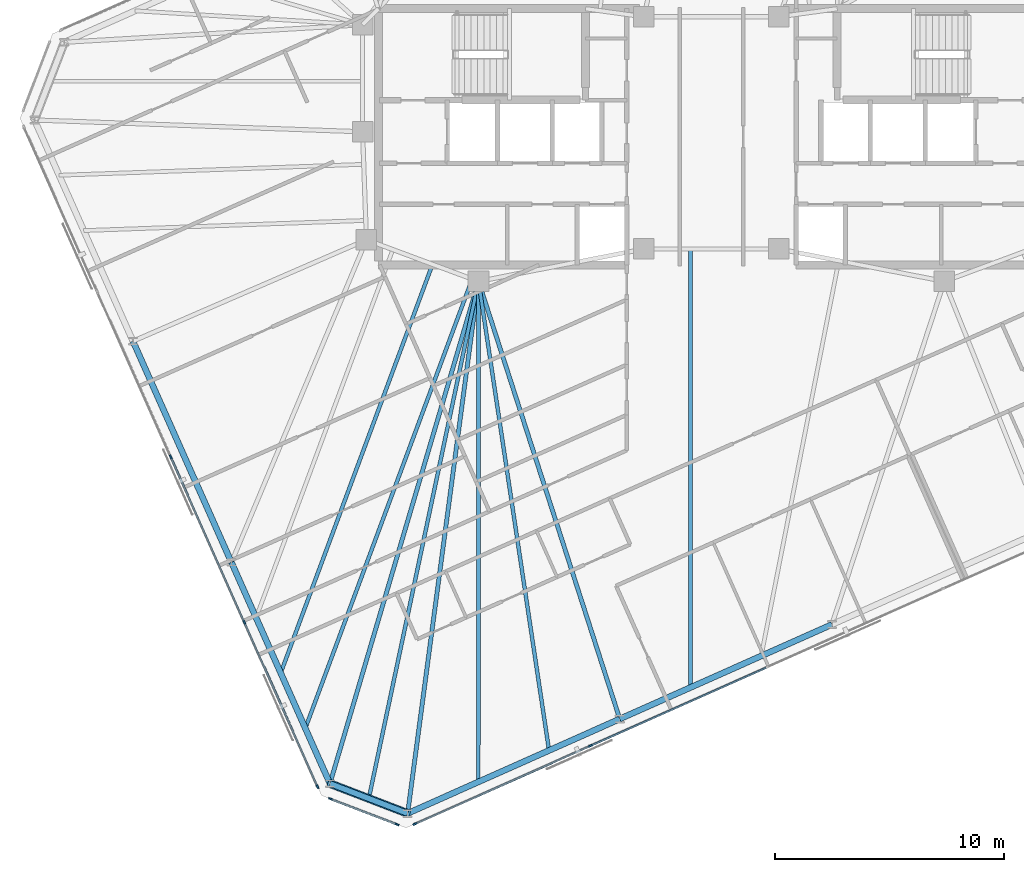
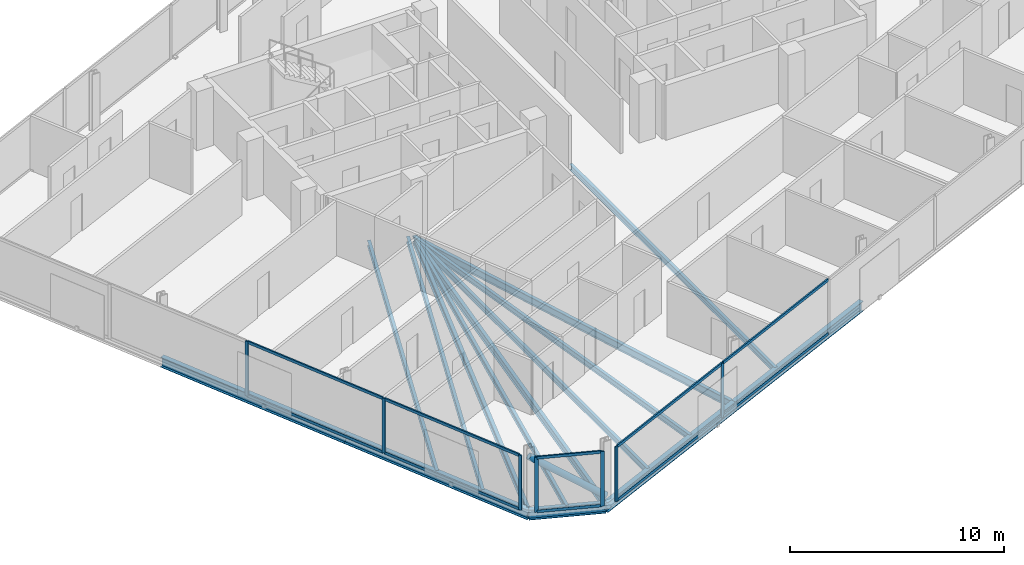
# One storey, part 5 of 19: 18 members, 14 beams, 3 elements without a shape of their own.
"""IFC4 building model written with IfcOpenShell, lengths in metres."""

from ifc_helpers import new_model, si_unit, direction, frame, origin, origin_2d, place, context, subcontext, project, spatial, rectangle, hollow_circle, i_section, extrude, material, material_profile, profile_set, type_object, element, aggregate, save


model = new_model("IFC4")

# Units and contexts
model_context = context("Model", 3, precision=1e-05, world=origin(), true_north=direction((0.0, 1.0)))
body_context = subcontext(model_context, "Body", "Model", "MODEL_VIEW")
ifc_project = project(units=[si_unit("LENGTHUNIT", "METRE"), si_unit("AREAUNIT", "SQUARE_METRE"), si_unit("VOLUMEUNIT", "CUBIC_METRE"), si_unit("PLANEANGLEUNIT", "RADIAN"), si_unit("MASSUNIT", "GRAM", prefix="KILO")], contexts=[model_context])

# Site, building, storey
site_placement = place(None, origin())
site = spatial("IfcSite", under=ifc_project, at=site_placement, CompositionType="ELEMENT")
building_placement = place(site_placement, origin())
building = spatial("IfcBuilding", under=site, at=building_placement, Name="Menara Jurai Vektor", CompositionType="ELEMENT")
storey_placement = place(building_placement, frame((0.0, 0.0, 281.89990234375)))
storey = spatial("IfcBuildingStorey", under=building, at=storey_placement, Name="L75", CompositionType="ELEMENT", Elevation=281.89990234375)

# Curtain wall, members
ifc_material_1 = material(Name="Anodised Pale Aluminium & Low-E Double Glazing", Category="aluminium")
curtain_wall_type = type_object("IfcCurtainWallType", Name="CW-BLK5", PredefinedType="NOTDEFINED", material=ifc_material_1)
curtain_wall_1_placement = place(storey_placement, origin())
curtain_wall_1 = element("IfcCurtainWall", 1, at=curtain_wall_1_placement, inside=storey, type_object=curtain_wall_type, Name="Unitised Curtain Wall L75 F01", PredefinedType="NOTDEFINED")
ifc_material_2 = material(Name="Anodised Pale Aluminium Mullion", Category="aluminium")
ifc_material_profile_1 = material_profile(ifc_material_2, rectangle(XDim=0.074951171875, YDim=0.175048828125, at=origin_2d()), Name="ALU MUL 75x175")
ifc_profile_set_1 = profile_set([ifc_material_profile_1], Name="Anodised Pale Aluminium Mullion")
member_type_1 = type_object("IfcMemberType", Name="CW-BLK5-MUL", PredefinedType="MULLION", material=ifc_profile_set_1)
member_1_placement = place(storey_placement, frame((-12.96875, -30.04052734375, 0.0), z_axis=(0.0, 0.0, 1.0), x_axis=(-0.406735498684, 0.913545967158, 0.0)))
member_1 = element("IfcMember", 2, at=member_1_placement, type_object=member_type_1, Name="CW-05 mullion 1", PredefinedType="MULLION", context=body_context, shape_type="SweptSolid", body=[
    extrude(rectangle(XDim=0.074951171875, YDim=0.175048828125, at=origin_2d()), origin(), (0.0, 0.0, 1.0), 3.125),
])
member_2_placement = place(storey_placement, frame((-5.292724609375, -26.623046875, 0.0), z_axis=(0.0, 0.0, 1.0), x_axis=(-0.406735498684, 0.913545967158, 0.0)))
member_2 = element("IfcMember", 3, at=member_2_placement, type_object=member_type_1, Name="CW-05 mullion 2", PredefinedType="MULLION", context=body_context, shape_type="SweptSolid", body=[
    extrude(rectangle(XDim=0.074951171875, YDim=0.175048828125, at=origin_2d()), origin(), (0.0, 0.0, 1.0), 3.125),
])

curtain_wall_2_placement = place(storey_placement, origin())
curtain_wall_2 = element("IfcCurtainWall", 4, at=curtain_wall_2_placement, inside=storey, type_object=curtain_wall_type, Name="Unitised Curtain Wall L75 F07", PredefinedType="NOTDEFINED")
member_3_placement = place(storey_placement, frame((-23.635986328125, -13.991943359375, 0.0), z_axis=(0.0, 0.0, 1.0), x_axis=(0.913546127706, 0.406735138086, 0.0)))
member_3 = element("IfcMember", 5, at=member_3_placement, type_object=member_type_1, Name="CW-05 mullion 3", PredefinedType="MULLION", context=body_context, shape_type="SweptSolid", body=[
    extrude(rectangle(XDim=0.074951171875, YDim=0.175048828125, at=origin_2d()), origin(), (0.0, 0.0, 1.0), 3.125),
])
member_4_placement = place(storey_placement, frame((-20.418701171875, -21.21826171875, 0.0), z_axis=(0.0, 0.0, 1.0), x_axis=(0.913546127706, 0.406735138086, 0.0)))
member_4 = element("IfcMember", 6, at=member_4_placement, type_object=member_type_1, Name="CW-05 mullion 4", PredefinedType="MULLION", context=body_context, shape_type="SweptSolid", body=[
    extrude(rectangle(XDim=0.074951171875, YDim=0.175048828125, at=origin_2d()), origin(), (0.0, 0.0, 1.0), 3.125),
])
member_5_placement = place(storey_placement, frame((-17.216796875, -28.41015625, 0.0), z_axis=(0.0, 0.0, 1.0), x_axis=(0.913546127706, 0.406735138086, 0.0)))
member_5 = element("IfcMember", 7, at=member_5_placement, type_object=member_type_1, Name="CW-05 mullion 5", PredefinedType="MULLION", context=body_context, shape_type="SweptSolid", body=[
    extrude(rectangle(XDim=0.074951171875, YDim=0.175048828125, at=origin_2d()), origin(), (0.0, 0.0, 1.0), 3.125),
])

curtain_wall_3_placement = place(storey_placement, origin())
curtain_wall_3 = element("IfcCurtainWall", 8, at=curtain_wall_3_placement, inside=storey, type_object=curtain_wall_type, Name="Unitised Curtain Wall L75 F08", PredefinedType="NOTDEFINED")
member_6_placement = place(storey_placement, frame((-16.656982421875, -28.94091796875, 0.0), z_axis=(0.0, 0.0, 1.0), x_axis=(0.358373766287, 0.933578193639, 0.0)))
member_6 = element("IfcMember", 9, at=member_6_placement, type_object=member_type_1, Name="CW-05 mullion 1", PredefinedType="MULLION", context=body_context, shape_type="SweptSolid", body=[
    extrude(rectangle(XDim=0.074951171875, YDim=0.175048828125, at=origin_2d()), origin(), (0.0, 0.0, 1.0), 3.125),
])
member_7_placement = place(storey_placement, frame((-13.739990234375, -30.060791015625, 0.0), z_axis=(0.0, 0.0, 1.0), x_axis=(0.358373766287, 0.933578193639, 0.0)))
member_7 = element("IfcMember", 10, at=member_7_placement, type_object=member_type_1, Name="CW-05 mullion 2", PredefinedType="MULLION", context=body_context, shape_type="SweptSolid", body=[
    extrude(rectangle(XDim=0.074951171875, YDim=0.175048828125, at=origin_2d()), origin(), (0.0, 0.0, 1.0), 3.125),
])

# Member
ifc_material_3 = material(Name="Anodised Pale Aluminium Transom", Category="aluminium")
ifc_material_profile_2 = material_profile(ifc_material_3, rectangle(XDim=0.074951171875, YDim=0.155029296875, at=origin_2d()), Name="ALU TRN 75x155")
ifc_profile_set_2 = profile_set([ifc_material_profile_2], Name="Anodised Pale Aluminium Transom")
member_type_2 = type_object("IfcMemberType", Name="CW-BLK5-TRN", PredefinedType="USERDEFINED", material=ifc_profile_set_2)
member_8_placement = place(storey_placement, frame((-12.9345703125, -30.025390625, 0.03759765625), z_axis=(0.913542963736, 0.406742244436, 0.0), x_axis=(-0.406742244436, 0.913542963736, 0.0)))
member_8 = element("IfcMember", 11, at=member_8_placement, type_object=member_type_2, Name="CW-05 transom 1.1", ObjectType="TRANSOM", PredefinedType="USERDEFINED", context=body_context, shape_type="SweptSolid", body=[
    extrude(rectangle(XDim=0.074951171875, YDim=0.155029296875, at=origin_2d()), origin(), (0.0, 0.0, 1.0), 8.32763671875),
])

member_9_placement = place(storey_placement, frame((-12.9345703125, -30.025390625, 3.087646484375), z_axis=(0.913542963736, 0.406742244436, 0.0), x_axis=(-0.406742244436, 0.913542963736, 0.0)))
member_9 = element("IfcMember", 12, at=member_9_placement, type_object=member_type_2, Name="CW-05 transom 1.2", ObjectType="TRANSOM", PredefinedType="USERDEFINED", context=body_context, shape_type="SweptSolid", body=[
    extrude(rectangle(XDim=0.074951171875, YDim=0.155029296875, at=origin_2d()), origin(), (0.0, 0.0, 1.0), 8.32763671875),
])

member_10_placement = place(storey_placement, frame((-5.25830078125, -26.60791015625, 0.03759765625), z_axis=(0.913541747007, 0.406744977198, 0.0), x_axis=(-0.406744977198, 0.913541747007, 0.0)))
member_10 = element("IfcMember", 13, at=member_10_placement, type_object=member_type_2, Name="CW-05 transom 2.1", ObjectType="TRANSOM", PredefinedType="USERDEFINED", context=body_context, shape_type="SweptSolid", body=[
    extrude(rectangle(XDim=0.074951171875, YDim=0.155029296875, at=origin_2d()), origin(), (0.0, 0.0, 1.0), 8.36474609375),
])

member_11_placement = place(storey_placement, frame((-5.25830078125, -26.60791015625, 3.087646484375), z_axis=(0.913541747007, 0.406744977198, 0.0), x_axis=(-0.406744977198, 0.913541747007, 0.0)))
member_11 = element("IfcMember", 14, at=member_11_placement, type_object=member_type_2, Name="CW-05 transom 2.2", ObjectType="TRANSOM", PredefinedType="USERDEFINED", context=body_context, shape_type="SweptSolid", body=[
    extrude(rectangle(XDim=0.074951171875, YDim=0.155029296875, at=origin_2d()), origin(), (0.0, 0.0, 1.0), 8.36474609375),
])

aggregate(curtain_wall_1, [member_1, member_2, member_8, member_9, member_10, member_11])

member_12_placement = place(storey_placement, frame((-23.620849609375, -14.0263671875, 0.03759765625), z_axis=(0.40674264085, -0.913542787238, 0.0), x_axis=(0.913542787238, 0.40674264085, 0.0)))
member_12 = element("IfcMember", 15, at=member_12_placement, type_object=member_type_2, Name="CW-05 transom 3.1", ObjectType="TRANSOM", PredefinedType="USERDEFINED", context=body_context, shape_type="SweptSolid", body=[
    extrude(rectangle(XDim=0.074951171875, YDim=0.155029296875, at=origin_2d()), origin(), (0.0, 0.0, 1.0), 7.8349609375),
])

member_13_placement = place(storey_placement, frame((-23.620849609375, -14.0263671875, 3.087646484375), z_axis=(0.40674264085, -0.913542787238, 0.0), x_axis=(0.913542787238, 0.40674264085, 0.0)))
member_13 = element("IfcMember", 16, at=member_13_placement, type_object=member_type_2, Name="CW-05 transom 3.2", ObjectType="TRANSOM", PredefinedType="USERDEFINED", context=body_context, shape_type="SweptSolid", body=[
    extrude(rectangle(XDim=0.074951171875, YDim=0.155029296875, at=origin_2d()), origin(), (0.0, 0.0, 1.0), 7.8349609375),
])

member_14_placement = place(storey_placement, frame((-20.403564453125, -21.25244140625, 0.03759765625), z_axis=(0.406751345283, -0.913538911656, 0.0), x_axis=(0.913538911656, 0.406751345283, 0.0)))
member_14 = element("IfcMember", 17, at=member_14_placement, type_object=member_type_2, Name="CW-05 transom 4.1", ObjectType="TRANSOM", PredefinedType="USERDEFINED", context=body_context, shape_type="SweptSolid", body=[
    extrude(rectangle(XDim=0.074951171875, YDim=0.155029296875, at=origin_2d()), origin(), (0.0, 0.0, 1.0), 7.79736328125),
])

member_15_placement = place(storey_placement, frame((-20.403564453125, -21.25244140625, 3.087646484375), z_axis=(0.406751345283, -0.913538911656, 0.0), x_axis=(0.913538911656, 0.406751345283, 0.0)))
member_15 = element("IfcMember", 18, at=member_15_placement, type_object=member_type_2, Name="CW-05 transom 4.2", ObjectType="TRANSOM", PredefinedType="USERDEFINED", context=body_context, shape_type="SweptSolid", body=[
    extrude(rectangle(XDim=0.074951171875, YDim=0.155029296875, at=origin_2d()), origin(), (0.0, 0.0, 1.0), 7.79736328125),
])

aggregate(curtain_wall_2, [member_3, member_4, member_5, member_12, member_13, member_14, member_15])

member_16_placement = place(storey_placement, frame((-16.6220703125, -28.95458984375, 0.03759765625), z_axis=(0.933597094911, -0.358324523823, 0.0), x_axis=(0.358324523823, 0.933597094911, 0.0)))
member_16 = element("IfcMember", 19, at=member_16_placement, type_object=member_type_2, Name="CW-05 transom 1.1", ObjectType="TRANSOM", PredefinedType="USERDEFINED", context=body_context, shape_type="SweptSolid", body=[
    extrude(rectangle(XDim=0.074951171875, YDim=0.155029296875, at=origin_2d()), origin(), (0.0, 0.0, 1.0), 3.049560546875),
])

member_17_placement = place(storey_placement, frame((-16.6220703125, -28.95458984375, 3.087646484375), z_axis=(0.933597094911, -0.358324523823, 0.0), x_axis=(0.358324523823, 0.933597094911, 0.0)))
member_17 = element("IfcMember", 20, at=member_17_placement, type_object=member_type_2, Name="CW-05 transom 1.2", ObjectType="TRANSOM", PredefinedType="USERDEFINED", context=body_context, shape_type="SweptSolid", body=[
    extrude(rectangle(XDim=0.074951171875, YDim=0.155029296875, at=origin_2d()), origin(), (0.0, 0.0, 1.0), 3.049560546875),
])

aggregate(curtain_wall_3, [member_6, member_7, member_16, member_17])

# Beams
ifc_material_4 = material(Name="Steel S355", Category="steel")
ifc_material_profile_3 = material_profile(ifc_material_4, i_section(OverallWidth=0.18505859375, OverallDepth=0.429931640625, WebThickness=0.010986328125, FlangeThickness=0.01806640625, at=origin_2d()), Name="PG 430x185x76")
ifc_profile_set_3 = profile_set([ifc_material_profile_3], Name="Steel S355")
beam_type_1 = type_object("IfcBeamType", Name="STR-BM-430", PredefinedType="BEAM", material=ifc_profile_set_3)
beam_1_placement = place(storey_placement, frame((-13.279541015625, -29.576904296875, -0.43994140625), z_axis=(0.132109192855, 0.991235169454, 0.0), x_axis=(-0.991235169454, 0.132109192855, 0.0)))
element("IfcBeam", 21, at=beam_1_placement, inside=storey, type_object=beam_type_1, Name="Radial Floor Girder L75-S1", PredefinedType="BEAM", context=body_context, shape_type="SweptSolid", body=[
    extrude(i_section(OverallWidth=0.18505859375, OverallDepth=0.429931640625, WebThickness=0.010986328125, FlangeThickness=0.01806640625, at=origin_2d()), origin(), (0.0, 0.0, 1.0), 23.46240234375),
])
beam_2_placement = place(storey_placement, frame((-4.006103515625, -25.4482421875, -0.43994140625), z_axis=(-0.307158217721, 0.95165846252, 0.0), x_axis=(-0.95165846252, -0.307158217721, 0.0)))
element("IfcBeam", 22, at=beam_2_placement, inside=storey, type_object=beam_type_1, Name="Radial Floor Girder L75-S2", PredefinedType="BEAM", context=body_context, shape_type="SweptSolid", body=[
    extrude(i_section(OverallWidth=0.18505859375, OverallDepth=0.429931640625, WebThickness=0.010986328125, FlangeThickness=0.01806640625, at=origin_2d()), origin(), (0.0, 0.0, 1.0), 20.099853515625),
])
beam_3_placement = place(storey_placement, frame((-16.675537109375, -28.2734375, -0.43994140625), z_axis=(0.283723047838, 0.958906268686, 0.0), x_axis=(-0.958906268686, 0.283723047838, 0.0)))
element("IfcBeam", 23, at=beam_3_placement, inside=storey, type_object=beam_type_1, Name="Radial Floor Girder L75-W4", PredefinedType="BEAM", context=body_context, shape_type="SweptSolid", body=[
    extrude(i_section(OverallWidth=0.18505859375, OverallDepth=0.429931640625, WebThickness=0.010986328125, FlangeThickness=0.01806640625, at=origin_2d()), origin(), (0.0, 0.0, 1.0), 22.894287109375),
])

# Member
ifc_material_5 = material(Name="Steel S460", Category="steel")
ifc_material_profile_4 = material_profile(ifc_material_5, hollow_circle(Radius=0.177734375, WallThickness=0.01611328125, at=origin_2d()), Name="CHS 355.6x16")
ifc_profile_set_4 = profile_set([ifc_material_profile_4], Name="Steel S460")
member_type_3 = type_object("IfcMemberType", Name="STR-BR-356", PredefinedType="BRACE", material=ifc_profile_set_4)
member_18_placement = place(storey_placement, frame((-13.279541015625, -29.576904296875, 0.150146484375), z_axis=(-0.757054002265, 0.290575939475, 0.585179340931), x_axis=(-0.358335850414, -0.933592747566, 0.0)))
element("IfcMember", 24, at=member_18_placement, inside=storey, type_object=member_type_3, Name="Exoskeleton Corner Brace L75-4", PredefinedType="BRACE", context=body_context, shape_type="SweptSolid", body=[
    extrude(hollow_circle(Radius=0.177734375, WallThickness=0.01611328125, at=origin_2d()), origin(), (0.0, 0.0, 1.0), 4.48583984375),
])

# Beams
ifc_material_profile_5 = material_profile(ifc_material_4, i_section(OverallWidth=0.1650390625, OverallDepth=0.330078125, WebThickness=0.009033203125, FlangeThickness=0.013916015625, at=origin_2d()), Name="PG 330x165x46")
ifc_profile_set_5 = profile_set([ifc_material_profile_5], Name="Steel S355")
beam_type_2 = type_object("IfcBeamType", Name="STR-JS-330", PredefinedType="JOIST", material=ifc_profile_set_5)
beam_4_placement = place(storey_placement, frame((-10.188232421875, -28.20068359375, -0.389892578125), z_axis=(0.000379366876, 0.99999992804, 0.0), x_axis=(-0.99999992804, 0.000379366876, 0.0)))
element("IfcBeam", 25, at=beam_4_placement, inside=storey, type_object=beam_type_2, Name="Radial Secondary Floor Joist L75-JS01", PredefinedType="JOIST", context=body_context, shape_type="SweptSolid", body=[
    extrude(i_section(OverallWidth=0.1650390625, OverallDepth=0.330078125, WebThickness=0.009033203125, FlangeThickness=0.013916015625, at=origin_2d()), origin(), (0.0, 0.0, 1.0), 21.880615234375),
])
beam_5_placement = place(storey_placement, frame((-7.09716796875, -26.824462890625, -0.389892578125), z_axis=(-0.148675540239, 0.988886031722, 0.0), x_axis=(-0.988886031722, -0.148675540239, 0.0)))
element("IfcBeam", 26, at=beam_5_placement, inside=storey, type_object=beam_type_2, Name="Radial Secondary Floor Joist L75-JS02", PredefinedType="JOIST", context=body_context, shape_type="SweptSolid", body=[
    extrude(i_section(OverallWidth=0.1650390625, OverallDepth=0.330078125, WebThickness=0.009033203125, FlangeThickness=0.013916015625, at=origin_2d()), origin(), (0.0, 0.0, 1.0), 20.73486328125),
])
beam_6_placement = place(storey_placement, frame((-0.914794921875, -24.072021484375, -0.389892578125), z_axis=(0.0, 1.0, 0.0), x_axis=(-1.0, 0.0, 0.0)))
element("IfcBeam", 27, at=beam_6_placement, inside=storey, type_object=beam_type_2, Name="Radial Secondary Floor Joist L75-JS03", PredefinedType="JOIST", context=body_context, shape_type="SweptSolid", body=[
    extrude(i_section(OverallWidth=0.1650390625, OverallDepth=0.330078125, WebThickness=0.009033203125, FlangeThickness=0.013916015625, at=origin_2d()), origin(), (0.0, 0.0, 1.0), 19.172119140625),
])
beam_7_placement = place(storey_placement, frame((-18.828125, -23.4384765625, -0.389892578125), z_axis=(0.348177845571, 0.937428497462, 0.0), x_axis=(-0.937428497462, 0.348177845571, 0.0)))
element("IfcBeam", 28, at=beam_7_placement, inside=storey, type_object=beam_type_2, Name="Radial Secondary Floor Joist L75-JS29", PredefinedType="JOIST", context=body_context, shape_type="SweptSolid", body=[
    extrude(i_section(OverallWidth=0.1650390625, OverallDepth=0.330078125, WebThickness=0.009033203125, FlangeThickness=0.013916015625, at=origin_2d()), origin(), (0.0, 0.0, 1.0), 19.05859375),
])
beam_8_placement = place(storey_placement, frame((-17.751953125, -25.85595703125, -0.389892578125), z_axis=(0.348185651823, 0.937425598042, 0.0), x_axis=(-0.937425598042, 0.348185651823, 0.0)))
element("IfcBeam", 29, at=beam_8_placement, inside=storey, type_object=beam_type_2, Name="Radial Secondary Floor Joist L75-JS30", PredefinedType="JOIST", context=body_context, shape_type="SweptSolid", body=[
    extrude(i_section(OverallWidth=0.1650390625, OverallDepth=0.330078125, WebThickness=0.009033203125, FlangeThickness=0.013916015625, at=origin_2d()), origin(), (0.0, 0.0, 1.0), 20.949951171875),
])
beam_9_placement = place(storey_placement, frame((-14.9775390625, -28.92529296875, -0.389892578125), z_axis=(0.207610208592, 0.978211634202, 0.0), x_axis=(-0.978211634202, 0.207610208592, 0.0)))
element("IfcBeam", 30, at=beam_9_placement, inside=storey, type_object=beam_type_2, Name="Radial Secondary Floor Joist L75-JS31", PredefinedType="JOIST", context=body_context, shape_type="SweptSolid", body=[
    extrude(i_section(OverallWidth=0.1650390625, OverallDepth=0.330078125, WebThickness=0.009033203125, FlangeThickness=0.013916015625, at=origin_2d()), origin(), (0.0, 0.0, 1.0), 23.108642578125),
])
ifc_material_profile_6 = material_profile(ifc_material_4, i_section(OverallWidth=0.260009765625, OverallDepth=0.570068359375, WebThickness=0.013916015625, FlangeThickness=0.02392578125, at=origin_2d()), Name="PG 570x260x145")
ifc_profile_set_6 = profile_set([ifc_material_profile_6], Name="Steel S355")
beam_type_3 = type_object("IfcBeamType", Name="STR-SP-570", PredefinedType="SPANDREL", material=ifc_profile_set_6)
beam_10_placement = place(storey_placement, frame((-13.279541015625, -29.576904296875, -0.510009765625), z_axis=(0.913550519143, 0.406725274569, 0.0), x_axis=(-0.406725274569, 0.913550519143, 0.0)))
element("IfcBeam", 31, at=beam_10_placement, inside=storey, type_object=beam_type_3, Name="Exoskeleton Spandrel Beam L75-01", PredefinedType="SPANDREL", context=body_context, shape_type="SweptSolid", body=[
    extrude(i_section(OverallWidth=0.260009765625, OverallDepth=0.570068359375, WebThickness=0.013916015625, FlangeThickness=0.02392578125, at=origin_2d()), origin(), (0.0, 0.0, 1.0), 10.15087890625),
])
beam_11_placement = place(storey_placement, frame((-4.006103515625, -25.4482421875, -0.510009765625), z_axis=(0.913545561407, 0.406736410017, 0.0), x_axis=(-0.406736410017, 0.913545561407, 0.0)))
element("IfcBeam", 32, at=beam_11_placement, inside=storey, type_object=beam_type_3, Name="Exoskeleton Spandrel Beam L75-02", PredefinedType="SPANDREL", context=body_context, shape_type="SweptSolid", body=[
    extrude(i_section(OverallWidth=0.260009765625, OverallDepth=0.570068359375, WebThickness=0.013916015625, FlangeThickness=0.02392578125, at=origin_2d()), origin(), (0.0, 0.0, 1.0), 10.1513671875),
])
for number, where, z_axis, x_axis, name in (
    (33, (-25.286376953125, -8.933349609375, -0.510009765625), (0.406744000616, -0.913542181819, 0.0), (0.913542181819, 0.406744000616, 0.0), "Exoskeleton Spandrel Beam L75-18"),
    (34, (-20.98095703125, -18.603271484375, -0.510009765625), (0.40673543049, -0.91354599752, 0.0), (0.91354599752, 0.40673543049, 0.0), "Exoskeleton Spandrel Beam L75-19"),
):
    element("IfcBeam", number, at=place(storey_placement, frame(where, z_axis=z_axis, x_axis=x_axis)), inside=storey, type_object=beam_type_3, Name=name, PredefinedType="SPANDREL", context=body_context, shape_type="SweptSolid", body=[
        extrude(i_section(OverallWidth=0.260009765625, OverallDepth=0.570068359375, WebThickness=0.013916015625, FlangeThickness=0.02392578125, at=origin_2d()), origin(), (0.0, 0.0, 1.0), 10.585205078125),
    ])
beam_12_placement = place(storey_placement, frame((-16.675537109375, -28.2734375, -0.510009765625), z_axis=(0.933592747566, -0.358335850414, 0.0), x_axis=(0.358335850414, 0.933592747566, 0.0)))
element("IfcBeam", 35, at=beam_12_placement, inside=storey, type_object=beam_type_3, Name="Exoskeleton Spandrel Beam L75-20", PredefinedType="SPANDREL", context=body_context, shape_type="SweptSolid", body=[
    extrude(i_section(OverallWidth=0.260009765625, OverallDepth=0.570068359375, WebThickness=0.013916015625, FlangeThickness=0.02392578125, at=origin_2d()), origin(), (0.0, 0.0, 1.0), 3.637451171875),
])

save(model, "model.ifc")
